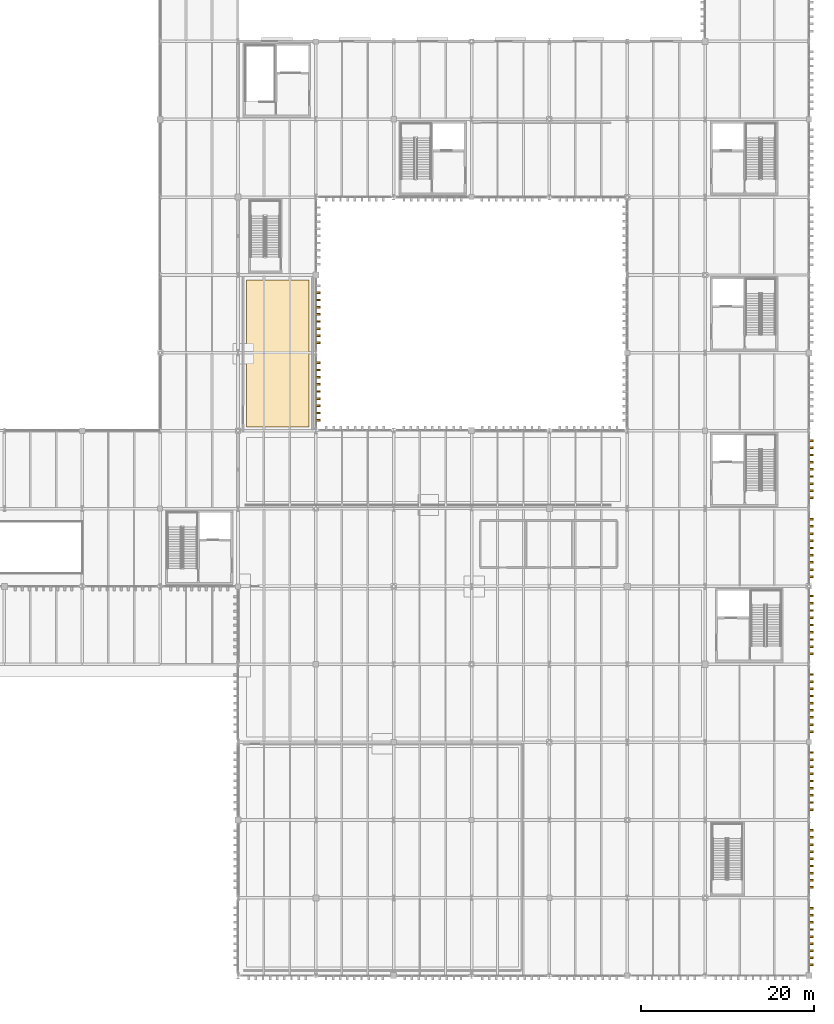
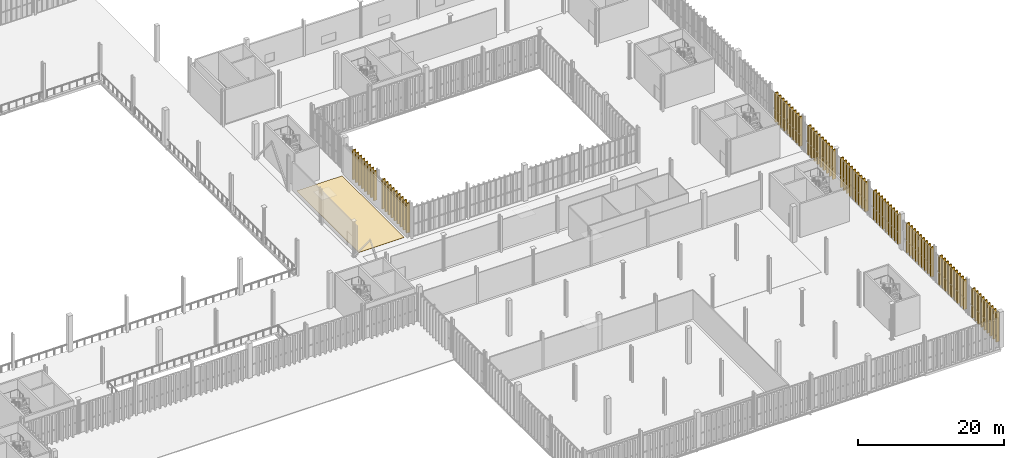
# One storey, part 203 of 211: 80 shading devices, 1 covering.
"""IFC4 building model written with IfcOpenShell, lengths in metres."""

from ifc_helpers import new_model, si_unit, direction, frame, origin, origin_2d, place, context, subcontext, project, spatial, polyline, rectangle, outline, extrude, material, layer, layer_set, type_object, element, save


model = new_model("IFC4")

# Units and contexts
model_context = context("Model", 3, precision=1e-05, world=origin(), true_north=direction((0.0, 1.0)))
body_context = subcontext(model_context, "Body", "Model", "MODEL_VIEW")
ifc_project = project(units=[si_unit("LENGTHUNIT", "METRE"), si_unit("AREAUNIT", "SQUARE_METRE"), si_unit("VOLUMEUNIT", "CUBIC_METRE"), si_unit("PLANEANGLEUNIT", "RADIAN"), si_unit("MASSUNIT", "GRAM", prefix="KILO")], contexts=[model_context])

# Site, building, storey
site_placement = place(None, origin())
site = spatial("IfcSite", under=ifc_project, at=site_placement, CompositionType="ELEMENT")
building_placement = place(site_placement, origin())
building = spatial("IfcBuilding", under=site, at=building_placement, Name="Barlavento Convention Centre", CompositionType="ELEMENT")
storey_placement = place(building_placement, frame((0.0, 0.0, 6.0)))
storey = spatial("IfcBuildingStorey", under=building, at=storey_placement, Name="L01", CompositionType="ELEMENT", Elevation=6.0)

# Covering
ifc_material_1 = material(Name="Honed granite concourse stone flooring", Category="masonry")
ifc_layer = layer(ifc_material_1, 0.030029296875)
ifc_layer_set = layer_set([ifc_layer], Name="ARC-COV-FLR-STONE")
covering_type = type_object("IfcCoveringType", Name="ARC-COV-FLR-STONE", PredefinedType="FLOORING", material=ifc_layer_set)
covering_placement = place(storey_placement, origin())
element("IfcCovering", 1, at=covering_placement, inside=storey, type_object=covering_type, Name="L01 honed stone floor finish", PredefinedType="FLOORING", context=body_context, shape_type="SweptSolid", body=[
    extrude(outline(polyline([(134.199951171875, 63.39990234375), (127.0, 63.39990234375), (127.0, 80.39990234375), (134.199951171875, 80.39990234375), (134.199951171875, 63.39990234375)])), origin(), (0.0, 0.0, 1.0), 0.030029296875),
])

# Shading devices
ifc_material_2 = material(Name="PVDF white extruded aluminium", Category="aluminium")
shading_device_type = type_object("IfcShadingDeviceType", Name="ARC-SHD-FIN-480", PredefinedType="USERDEFINED", material=ifc_material_2)
for number, where, z_axis, x_axis, name in (
    (2, (192.239990234375, 1.239990234375, 0.0), (0.0, 0.0, 1.0), (0.0, 1.0, 0.0), "White vertical solar shading fin VF01"),
    (3, (192.239990234375, 2.06005859375, 0.0), (0.0, 0.0, 1.0), (0.0, 1.0, 0.0), "White vertical solar shading fin VF01"),
    (4, (192.239990234375, 2.8798828125, 0.0), (0.0, 0.0, 1.0), (0.0, 1.0, 0.0), "White vertical solar shading fin VF01"),
    (5, (192.239990234375, 3.699951171875, 0.0), (0.0, 0.0, 1.0), (0.0, 1.0, 0.0), "White vertical solar shading fin VF01"),
    (6, (192.239990234375, 4.52001953125, 0.0), (0.0, 0.0, 1.0), (0.0, 1.0, 0.0), "White vertical solar shading fin VF01"),
    (7, (192.239990234375, 5.340087890625, 0.0), (0.0, 0.0, 1.0), (0.0, 1.0, 0.0), "White vertical solar shading fin VF01"),
    (8, (192.239990234375, 6.159912109375, 0.0), (0.0, 0.0, 1.0), (0.0, 1.0, 0.0), "White vertical solar shading fin VF01"),
    (9, (192.239990234375, 6.97998046875, 0.0), (0.0, 0.0, 1.0), (0.0, 1.0, 0.0), "White vertical solar shading fin VF01"),
    (10, (192.239990234375, 7.800048828125, 0.0), (0.0, 0.0, 1.0), (0.0, 1.0, 0.0), "White vertical solar shading fin VF01"),
    (11, (192.239990234375, 10.205078125, 0.0), (0.0, 0.0, 1.0), (0.0, 1.0, 0.0), "White vertical solar shading fin VF01"),
    (12, (192.239990234375, 11.030029296875, 0.0), (0.0, 0.0, 1.0), (0.0, 1.0, 0.0), "White vertical solar shading fin VF01"),
    (13, (192.239990234375, 11.85498046875, 0.0), (0.0, 0.0, 1.0), (0.0, 1.0, 0.0), "White vertical solar shading fin VF01"),
    (14, (192.239990234375, 12.679931640625, 0.0), (0.0, 0.0, 1.0), (0.0, 1.0, 0.0), "White vertical solar shading fin VF01"),
    (15, (192.239990234375, 13.5048828125, 0.0), (0.0, 0.0, 1.0), (0.0, 1.0, 0.0), "White vertical solar shading fin VF01"),
    (16, (192.239990234375, 14.330078125, 0.0), (0.0, 0.0, 1.0), (0.0, 1.0, 0.0), "White vertical solar shading fin VF01"),
    (17, (192.239990234375, 15.155029296875, 0.0), (0.0, 0.0, 1.0), (0.0, 1.0, 0.0), "White vertical solar shading fin VF01"),
    (18, (192.239990234375, 15.97998046875, 0.0), (0.0, 0.0, 1.0), (0.0, 1.0, 0.0), "White vertical solar shading fin VF01"),
    (19, (192.239990234375, 16.804931640625, 0.0), (0.0, 0.0, 1.0), (0.0, 1.0, 0.0), "White vertical solar shading fin VF01"),
    (20, (192.239990234375, 19.196044921875, 0.0), (0.0, 0.0, 1.0), (0.0, 1.0, 0.0), "White vertical solar shading fin VF01"),
    (21, (192.239990234375, 20.02197265625, 0.0), (0.0, 0.0, 1.0), (0.0, 1.0, 0.0), "White vertical solar shading fin VF01"),
    (22, (192.239990234375, 20.847900390625, 0.0), (0.0, 0.0, 1.0), (0.0, 1.0, 0.0), "White vertical solar shading fin VF01"),
    (23, (192.239990234375, 21.674072265625, 0.0), (0.0, 0.0, 1.0), (0.0, 1.0, 0.0), "White vertical solar shading fin VF01"),
    (24, (192.239990234375, 22.5, 0.0), (0.0, 0.0, 1.0), (0.0, 1.0, 0.0), "White vertical solar shading fin VF01"),
    (25, (192.239990234375, 23.325927734375, 0.0), (0.0, 0.0, 1.0), (0.0, 1.0, 0.0), "White vertical solar shading fin VF01"),
    (26, (192.239990234375, 24.152099609375, 0.0), (0.0, 0.0, 1.0), (0.0, 1.0, 0.0), "White vertical solar shading fin VF01"),
    (27, (192.239990234375, 24.97802734375, 0.0), (0.0, 0.0, 1.0), (0.0, 1.0, 0.0), "White vertical solar shading fin VF01"),
    (28, (192.239990234375, 25.803955078125, 0.0), (0.0, 0.0, 1.0), (0.0, 1.0, 0.0), "White vertical solar shading fin VF01"),
    (29, (192.239990234375, 28.197509765625, 0.0), (0.0, 0.0, 1.0), (0.0, 1.0, 0.0), "White vertical solar shading fin VF01"),
    (30, (192.239990234375, 29.02490234375, 0.0), (0.0, 0.0, 1.0), (0.0, 1.0, 0.0), "White vertical solar shading fin VF01"),
    (31, (192.239990234375, 29.852294921875, 0.0), (0.0, 0.0, 1.0), (0.0, 1.0, 0.0), "White vertical solar shading fin VF01"),
    (32, (192.239990234375, 30.6796875, 0.0), (0.0, 0.0, 1.0), (0.0, 1.0, 0.0), "White vertical solar shading fin VF01"),
    (33, (192.239990234375, 31.507080078125, 0.0), (0.0, 0.0, 1.0), (0.0, 1.0, 0.0), "White vertical solar shading fin VF01"),
    (34, (192.239990234375, 32.33447265625, 0.0), (0.0, 0.0, 1.0), (0.0, 1.0, 0.0), "White vertical solar shading fin VF01"),
    (35, (192.239990234375, 33.161865234375, 0.0), (0.0, 0.0, 1.0), (0.0, 1.0, 0.0), "White vertical solar shading fin VF01"),
    (36, (192.239990234375, 33.9892578125, 0.0), (0.0, 0.0, 1.0), (0.0, 1.0, 0.0), "White vertical solar shading fin VF01"),
    (37, (192.239990234375, 34.816650390625, 0.0), (0.0, 0.0, 1.0), (0.0, 1.0, 0.0), "White vertical solar shading fin VF01"),
    (38, (192.239990234375, 37.193115234375, 0.0), (0.0, 0.0, 1.0), (0.0, 1.0, 0.0), "White vertical solar shading fin VF01"),
    (39, (192.239990234375, 38.0302734375, 0.0), (0.0, 0.0, 1.0), (0.0, 1.0, 0.0), "White vertical solar shading fin VF01"),
    (40, (192.239990234375, 38.8671875, 0.0), (0.0, 0.0, 1.0), (0.0, 1.0, 0.0), "White vertical solar shading fin VF01"),
    (41, (192.239990234375, 39.704345703125, 0.0), (0.0, 0.0, 1.0), (0.0, 1.0, 0.0), "White vertical solar shading fin VF01"),
    (42, (192.239990234375, 40.54150390625, 0.0), (0.0, 0.0, 1.0), (0.0, 1.0, 0.0), "White vertical solar shading fin VF01"),
    (43, (192.239990234375, 41.37841796875, 0.0), (0.0, 0.0, 1.0), (0.0, 1.0, 0.0), "White vertical solar shading fin VF01"),
    (44, (192.239990234375, 42.215576171875, 0.0), (0.0, 0.0, 1.0), (0.0, 1.0, 0.0), "White vertical solar shading fin VF01"),
    (45, (192.239990234375, 43.052490234375, 0.0), (0.0, 0.0, 1.0), (0.0, 1.0, 0.0), "White vertical solar shading fin VF01"),
    (46, (192.239990234375, 43.8896484375, 0.0), (0.0, 0.0, 1.0), (0.0, 1.0, 0.0), "White vertical solar shading fin VF01"),
    (47, (192.239990234375, 46.10546875, 0.0), (0.0, 0.0, 1.0), (0.0, 1.0, 0.0), "White vertical solar shading fin VF01"),
    (48, (192.239990234375, 46.937744140625, 0.0), (0.0, 0.0, 1.0), (0.0, 1.0, 0.0), "White vertical solar shading fin VF01"),
    (49, (192.239990234375, 47.77001953125, 0.0), (0.0, 0.0, 1.0), (0.0, 1.0, 0.0), "White vertical solar shading fin VF01"),
    (50, (192.239990234375, 48.602294921875, 0.0), (0.0, 0.0, 1.0), (0.0, 1.0, 0.0), "White vertical solar shading fin VF01"),
    (51, (192.239990234375, 49.4345703125, 0.0), (0.0, 0.0, 1.0), (0.0, 1.0, 0.0), "White vertical solar shading fin VF01"),
    (52, (192.239990234375, 50.266845703125, 0.0), (0.0, 0.0, 1.0), (0.0, 1.0, 0.0), "White vertical solar shading fin VF01"),
    (53, (192.239990234375, 51.09912109375, 0.0), (0.0, 0.0, 1.0), (0.0, 1.0, 0.0), "White vertical solar shading fin VF01"),
    (54, (192.239990234375, 51.931396484375, 0.0), (0.0, 0.0, 1.0), (0.0, 1.0, 0.0), "White vertical solar shading fin VF01"),
    (55, (192.239990234375, 52.763671875, 0.0), (0.0, 0.0, 1.0), (0.0, 1.0, 0.0), "White vertical solar shading fin VF01"),
    (56, (192.239990234375, 55.23046875, 0.0), (0.0, 0.0, 1.0), (0.0, 1.0, 0.0), "White vertical solar shading fin VF01"),
    (57, (192.239990234375, 56.056884765625, 0.0), (0.0, 0.0, 1.0), (0.0, 1.0, 0.0), "White vertical solar shading fin VF01"),
    (58, (192.239990234375, 56.88330078125, 0.0), (0.0, 0.0, 1.0), (0.0, 1.0, 0.0), "White vertical solar shading fin VF01"),
    (59, (192.239990234375, 57.709716796875, 0.0), (0.0, 0.0, 1.0), (0.0, 1.0, 0.0), "White vertical solar shading fin VF01"),
    (60, (192.239990234375, 58.535888671875, 0.0), (0.0, 0.0, 1.0), (0.0, 1.0, 0.0), "White vertical solar shading fin VF01"),
    (61, (192.239990234375, 59.3623046875, 0.0), (0.0, 0.0, 1.0), (0.0, 1.0, 0.0), "White vertical solar shading fin VF01"),
    (62, (192.239990234375, 60.188720703125, 0.0), (0.0, 0.0, 1.0), (0.0, 1.0, 0.0), "White vertical solar shading fin VF01"),
    (63, (192.239990234375, 61.01513671875, 0.0), (0.0, 0.0, 1.0), (0.0, 1.0, 0.0), "White vertical solar shading fin VF01"),
    (64, (192.239990234375, 61.841552734375, 0.0), (0.0, 0.0, 1.0), (0.0, 1.0, 0.0), "White vertical solar shading fin VF01"),
    (65, (135.239990234375, 64.222412109375, 0.0), (0.0, 0.0, 1.0), (0.0, 1.0, 0.0), "White vertical solar shading fin VF01"),
    (66, (135.239990234375, 65.05078125, 0.0), (0.0, 0.0, 1.0), (0.0, 1.0, 0.0), "White vertical solar shading fin VF01"),
    (67, (135.239990234375, 65.879150390625, 0.0), (0.0, 0.0, 1.0), (0.0, 1.0, 0.0), "White vertical solar shading fin VF01"),
    (68, (135.239990234375, 66.70751953125, 0.0), (0.0, 0.0, 1.0), (0.0, 1.0, 0.0), "White vertical solar shading fin VF01"),
    (69, (135.239990234375, 67.535888671875, 0.0), (0.0, 0.0, 1.0), (0.0, 1.0, 0.0), "White vertical solar shading fin VF01"),
    (70, (135.239990234375, 68.364501953125, 0.0), (0.0, 0.0, 1.0), (0.0, 1.0, 0.0), "White vertical solar shading fin VF01"),
    (71, (135.239990234375, 69.19287109375, 0.0), (0.0, 0.0, 1.0), (0.0, 1.0, 0.0), "White vertical solar shading fin VF01"),
    (72, (135.239990234375, 70.021240234375, 0.0), (0.0, 0.0, 1.0), (0.0, 1.0, 0.0), "White vertical solar shading fin VF01"),
    (73, (135.239990234375, 70.849609375, 0.0), (0.0, 0.0, 1.0), (0.0, 1.0, 0.0), "White vertical solar shading fin VF01"),
    (74, (135.239990234375, 73.148681640625, 0.0), (0.0, 0.0, 1.0), (0.0, 1.0, 0.0), "White vertical solar shading fin VF01"),
    (75, (135.239990234375, 73.9755859375, 0.0), (0.0, 0.0, 1.0), (0.0, 1.0, 0.0), "White vertical solar shading fin VF01"),
    (76, (135.239990234375, 74.802490234375, 0.0), (0.0, 0.0, 1.0), (0.0, 1.0, 0.0), "White vertical solar shading fin VF01"),
    (77, (135.239990234375, 75.629150390625, 0.0), (0.0, 0.0, 1.0), (0.0, 1.0, 0.0), "White vertical solar shading fin VF01"),
    (78, (135.239990234375, 76.4560546875, 0.0), (0.0, 0.0, 1.0), (0.0, 1.0, 0.0), "White vertical solar shading fin VF01"),
    (79, (135.239990234375, 77.28271484375, 0.0), (0.0, 0.0, 1.0), (0.0, 1.0, 0.0), "White vertical solar shading fin VF01"),
    (80, (135.239990234375, 78.109619140625, 0.0), (0.0, 0.0, 1.0), (0.0, 1.0, 0.0), "White vertical solar shading fin VF01"),
    (81, (135.239990234375, 78.936279296875, 0.0), (0.0, 0.0, 1.0), (0.0, 1.0, 0.0), "White vertical solar shading fin VF01"),
):
    element("IfcShadingDevice", number, at=place(storey_placement, frame(where, z_axis=z_axis, x_axis=x_axis)), inside=storey, type_object=shading_device_type, Name=name, ObjectType="FIN", PredefinedType="USERDEFINED", context=body_context, shape_type="SweptSolid", body=[
        extrude(rectangle(XDim=0.219970703125, YDim=0.52001953125, at=origin_2d()), origin(), (0.0, 0.0, 1.0), 4.949951171875),
    ])

save(model, "model.ifc")
